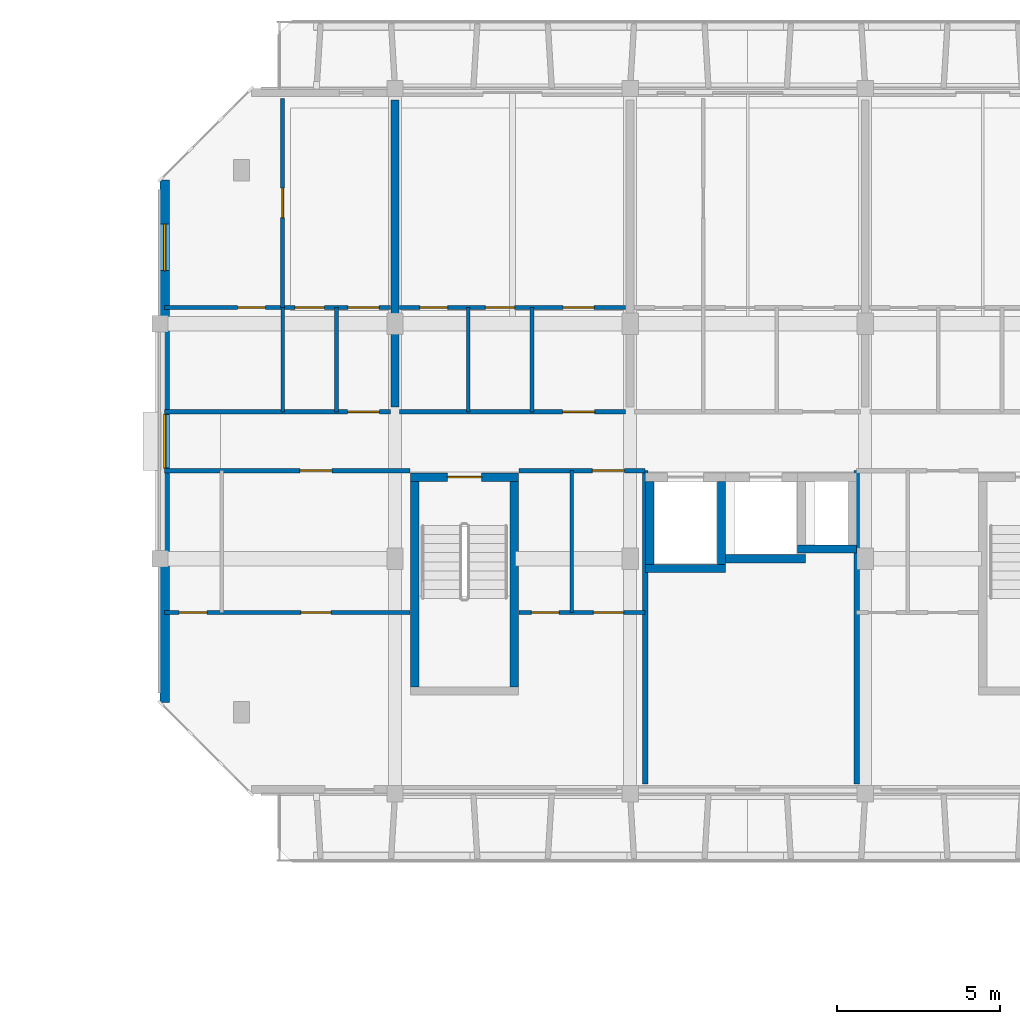
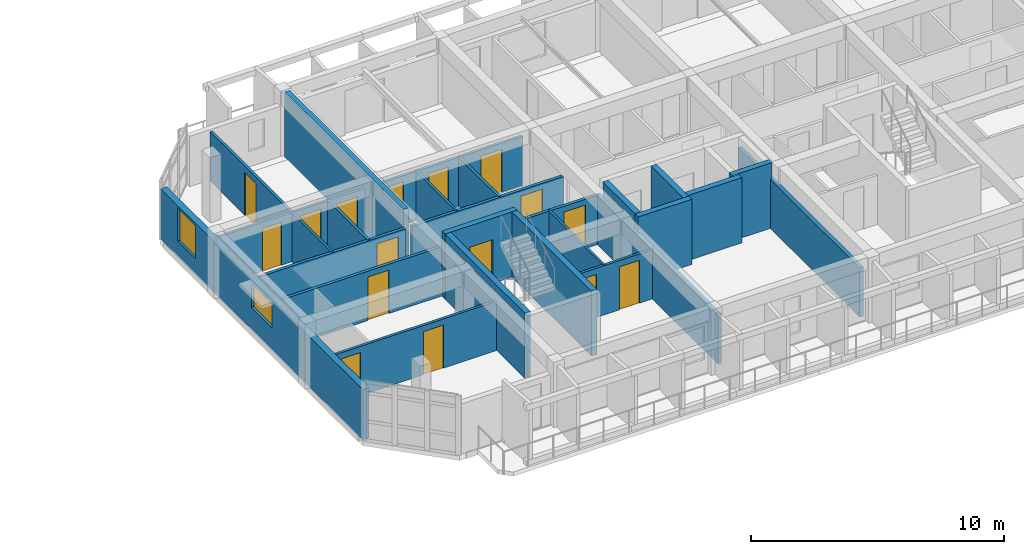
# One storey, part 26 of 44: 26 walls, 16 doors, 2 windows, 18 openings.
"""IFC4 building model written with IfcOpenShell, lengths in metres."""

from ifc_helpers import new_model, si_unit, direction, frame, frame_2d, origin, place, context, subcontext, project, spatial, rectangle, extrude, material, layer, layer_set, type_object, element, fill, save


model = new_model("IFC4")

# Units and contexts
model_context = context("Model", 3, precision=1e-05, world=origin(), true_north=direction((0.0, 1.0)))
body_context = subcontext(model_context, "Body", "Model", "MODEL_VIEW")
ifc_project = project(units=[si_unit("LENGTHUNIT", "METRE"), si_unit("AREAUNIT", "SQUARE_METRE"), si_unit("VOLUMEUNIT", "CUBIC_METRE"), si_unit("PLANEANGLEUNIT", "RADIAN"), si_unit("MASSUNIT", "GRAM", prefix="KILO")], contexts=[model_context])

# Site, building, storey
site_placement = place(None, origin())
site = spatial("IfcSite", under=ifc_project, at=site_placement, CompositionType="ELEMENT")
building_placement = place(site_placement, origin())
building = spatial("IfcBuilding", under=site, at=building_placement, Name="Ochrevale Crest", CompositionType="ELEMENT")
storey_placement = place(building_placement, frame((0.0, 0.0, 21.300048828125)))
storey = spatial("IfcBuildingStorey", under=building, at=storey_placement, Name="L06", CompositionType="ELEMENT", Elevation=21.300048828125)

# Wall, opening, door
ifc_material_1 = material(Name="Gypsum plasterboard", Category="gypsum")
ifc_layer_1 = layer(ifc_material_1, 0.139892578125)
ifc_layer_set_1 = layer_set([ifc_layer_1], Name="Gypsum plasterboard")
wall_type_1 = type_object("IfcWallType", Name="WL-COR-140", PredefinedType="PARTITIONING", material=ifc_layer_set_1)
wall_1_placement = place(storey_placement, frame((129.739990234375, 83.699951171875, 0.0), z_axis=(0.0, 0.0, 1.0), x_axis=(1.0, 0.0, 0.0)))
wall_1 = element("IfcWall", 1, at=wall_1_placement, inside=storey, type_object=wall_type_1, Name="Apartment D-L06-U1 corridor wall", PredefinedType="PARTITIONING", context=body_context, shape_type="SweptSolid", body=[
    extrude(rectangle(XDim=6.919921875, YDim=0.139892578125, at=frame_2d((3.4599609375, 0.0))), origin(), (0.0, 0.0, 1.0), 2.3798828125),
])
opening_1_placement = place(wall_1_placement, frame((6.5849609375, 0.0, 0.0), z_axis=(0.0, 0.0, 1.0), x_axis=(-1.0, 0.0, 0.0)))
opening_1 = element("IfcOpeningElement", 2, at=opening_1_placement, cuts=wall_1, Name="Opening FD01", PredefinedType="OPENING", context=body_context, shape_type="SweptSolid", body=[
    extrude(rectangle(XDim=0.97998046875, YDim=2.10009765625, at=frame_2d((0.489990234375, 1.050048828125))), frame((0.0, 0.080078125, 0.0), z_axis=(0.0, -1.0, 0.0), x_axis=(1.0, 0.0, 0.0)), (0.0, 0.0, 1.0), 0.159912109375),
])
ifc_material_2 = material(Name="Solid-core FSC hardwood", Category="wood")
door_type_1 = type_object("IfcDoorType", Name="DR-APT-950", OperationType="NOTDEFINED", PredefinedType="DOOR", material=ifc_material_2)
door_1_placement = place(opening_1_placement, origin())
door_1 = element("IfcDoor", 3, at=door_1_placement, inside=storey, type_object=door_type_1, Name="Apartment D-L06-U1 entrance door", OperationType="SINGLE_SWING_RIGHT", OverallHeight=2.10009765625, OverallWidth=0.97998046875, PredefinedType="DOOR", context=body_context, shape_type="SweptSolid", body=[
    extrude(rectangle(XDim=0.97998046875, YDim=2.10009765625, at=frame_2d((0.489990234375, 1.050048828125))), frame((0.0, 0.02490234375, 0.0), z_axis=(0.0, -1.0, 0.0), x_axis=(1.0, 0.0, 0.0)), (0.0, 0.0, 1.0), 0.050048828125),
])
fill(opening_1, door_1)

wall_2_placement = place(storey_placement, frame((136.93994140625, 83.699951171875, 0.0), z_axis=(0.0, 0.0, 1.0), x_axis=(1.0, 0.0, 0.0)))
wall_2 = element("IfcWall", 4, at=wall_2_placement, inside=storey, type_object=wall_type_1, Name="Apartment D-L06-U2 corridor wall", PredefinedType="PARTITIONING", context=body_context, shape_type="SweptSolid", body=[
    extrude(rectangle(XDim=6.920166015625, YDim=0.139892578125, at=frame_2d((3.4599609375, 0.0))), origin(), (0.0, 0.0, 1.0), 2.3798828125),
])
opening_2_placement = place(wall_2_placement, frame((4.9951171875, 0.0, 0.0)))
opening_2 = element("IfcOpeningElement", 5, at=opening_2_placement, cuts=wall_2, Name="Opening FD01", PredefinedType="OPENING", context=body_context, shape_type="SweptSolid", body=[
    extrude(rectangle(XDim=0.97998046875, YDim=2.10009765625, at=frame_2d((0.489990234375, 1.050048828125))), frame((0.0, 0.080078125, 0.0), z_axis=(0.0, -1.0, 0.0), x_axis=(1.0, 0.0, 0.0)), (0.0, 0.0, 1.0), 0.159912109375),
])
door_2_placement = place(opening_2_placement, origin())
door_2 = element("IfcDoor", 6, at=door_2_placement, inside=storey, type_object=door_type_1, Name="Apartment D-L06-U2 entrance door", OperationType="SINGLE_SWING_LEFT", OverallHeight=2.10009765625, OverallWidth=0.97998046875, PredefinedType="DOOR", context=body_context, shape_type="SweptSolid", body=[
    extrude(rectangle(XDim=0.97998046875, YDim=2.10009765625, at=frame_2d((0.489990234375, 1.050048828125))), frame((0.0, 0.02490234375, 0.0), z_axis=(0.0, -1.0, 0.0), x_axis=(1.0, 0.0, 0.0)), (0.0, 0.0, 1.0), 0.050048828125),
])
fill(opening_2, door_2)

wall_3_placement = place(storey_placement, frame((129.739990234375, 81.89990234375, 0.0), z_axis=(0.0, 0.0, 1.0), x_axis=(1.0, 0.0, 0.0)))
wall_3 = element("IfcWall", 7, at=wall_3_placement, inside=storey, type_object=wall_type_1, Name="Suite D-L06-CW corridor wall", PredefinedType="PARTITIONING", context=body_context, shape_type="SweptSolid", body=[
    extrude(rectangle(XDim=7.52001953125, YDim=0.139892578125, at=frame_2d((3.760009765625, 0.0))), origin(), (0.0, 0.0, 1.0), 2.3798828125),
])
opening_3_placement = place(wall_3_placement, frame((5.125, 0.0, 0.0), z_axis=(0.0, 0.0, 1.0), x_axis=(-1.0, 0.0, 0.0)))
opening_3 = element("IfcOpeningElement", 8, at=opening_3_placement, cuts=wall_3, Name="Opening FD01", PredefinedType="OPENING", context=body_context, shape_type="SweptSolid", body=[
    extrude(rectangle(XDim=0.97998046875, YDim=2.10009765625, at=frame_2d((0.489990234375, 1.050048828125))), frame((0.0, 0.080078125, 0.0), z_axis=(0.0, -1.0, 0.0), x_axis=(1.0, 0.0, 0.0)), (0.0, 0.0, 1.0), 0.159912109375),
])
door_3_placement = place(opening_3_placement, origin())
door_3 = element("IfcDoor", 9, at=door_3_placement, inside=storey, type_object=door_type_1, Name="Suite D-L06-CW entrance door", OperationType="SINGLE_SWING_RIGHT", OverallHeight=2.10009765625, OverallWidth=0.97998046875, PredefinedType="DOOR", context=body_context, shape_type="SweptSolid", body=[
    extrude(rectangle(XDim=0.97998046875, YDim=2.10009765625, at=frame_2d((0.489990234375, 1.050048828125))), frame((0.0, 0.02490234375, 0.0), z_axis=(0.0, -1.0, 0.0), x_axis=(1.0, 0.0, 0.0)), (0.0, 0.0, 1.0), 0.050048828125),
])
fill(opening_3, door_3)

wall_4_placement = place(storey_placement, frame((140.590087890625, 81.89990234375, 0.0), z_axis=(0.0, 0.0, 1.0), x_axis=(1.0, 0.0, 0.0)))
wall_4 = element("IfcWall", 10, at=wall_4_placement, inside=storey, type_object=wall_type_1, Name="Suite D-L06-MW corridor wall", PredefinedType="PARTITIONING", context=body_context, shape_type="SweptSolid", body=[
    extrude(rectangle(XDim=3.869873046875, YDim=0.139892578125, at=frame_2d((1.93505859375, 0.0))), origin(), (0.0, 0.0, 1.0), 2.3798828125),
])
opening_4_placement = place(wall_4_placement, frame((2.2578125, 0.0, 0.0)))
opening_4 = element("IfcOpeningElement", 11, at=opening_4_placement, cuts=wall_4, Name="Opening FD01", PredefinedType="OPENING", context=body_context, shape_type="SweptSolid", body=[
    extrude(rectangle(XDim=0.97998046875, YDim=2.10009765625, at=frame_2d((0.489990234375, 1.050048828125))), frame((0.0, 0.080078125, 0.0), z_axis=(0.0, -1.0, 0.0), x_axis=(1.0, 0.0, 0.0)), (0.0, 0.0, 1.0), 0.159912109375),
])
door_4_placement = place(opening_4_placement, origin())
door_4 = element("IfcDoor", 12, at=door_4_placement, inside=storey, type_object=door_type_1, Name="Suite D-L06-MW entrance door", OperationType="SINGLE_SWING_LEFT", OverallHeight=2.10009765625, OverallWidth=0.97998046875, PredefinedType="DOOR", context=body_context, shape_type="SweptSolid", body=[
    extrude(rectangle(XDim=0.97998046875, YDim=2.10009765625, at=frame_2d((0.489990234375, 1.050048828125))), frame((0.0, 0.02490234375, 0.0), z_axis=(0.0, -1.0, 0.0), x_axis=(1.0, 0.0, 0.0)), (0.0, 0.0, 1.0), 0.050048828125),
])
fill(opening_4, door_4)

ifc_material_3 = material(Name="Precast concrete C50/60", Category="concrete")
ifc_layer_2 = layer(ifc_material_3, 0.2548828125)
ifc_layer_set_2 = layer_set([ifc_layer_2], Name="Precast concrete C50/60")
wall_type_2 = type_object("IfcWallType", Name="WL-CORE-255", PredefinedType="SHEAR", material=ifc_layer_set_2)
wall_5_placement = place(storey_placement, frame((137.2724609375, 81.699951171875, 0.0), z_axis=(0.0, 0.0, 1.0), x_axis=(1.0, 0.0, 0.0)))
wall_5 = element("IfcWall", 13, at=wall_5_placement, inside=storey, type_object=wall_type_2, Name="Block D L06 Stair 1 precast core shear wall N", PredefinedType="SHEAR", context=body_context, shape_type="SweptSolid", body=[
    extrude(rectangle(XDim=3.304931640625, YDim=0.2548828125, at=frame_2d((1.65234375, 0.0))), origin(), (0.0, 0.0, 1.0), 3.14990234375),
])
opening_5_placement = place(wall_5_placement, frame((2.177490234375, 0.0, 0.0), z_axis=(0.0, 0.0, 1.0), x_axis=(-1.0, 0.0, 0.0)))
opening_5 = element("IfcOpeningElement", 14, at=opening_5_placement, cuts=wall_5, Name="Opening FD03", PredefinedType="OPENING", context=body_context, shape_type="SweptSolid", body=[
    extrude(rectangle(XDim=1.050048828125, YDim=2.1201171875, at=frame_2d((0.52490234375, 1.06005859375))), frame((0.0, 0.137451171875, 0.0), z_axis=(0.0, -1.0, 0.0), x_axis=(1.0, 0.0, 0.0)), (0.0, 0.0, 1.0), 0.27490234375),
])
door_type_2 = type_object("IfcDoorType", Name="DR-ST-1050", OperationType="NOTDEFINED", PredefinedType="DOOR", material=ifc_material_2)
door_5_placement = place(opening_5_placement, origin())
door_5 = element("IfcDoor", 15, at=door_5_placement, inside=storey, type_object=door_type_2, Name="Block D L06 fire stair 1 door", OperationType="SINGLE_SWING_RIGHT", OverallHeight=2.1201171875, OverallWidth=1.050048828125, PredefinedType="DOOR", context=body_context, shape_type="SweptSolid", body=[
    extrude(rectangle(XDim=1.050048828125, YDim=2.1201171875, at=frame_2d((0.52490234375, 1.06005859375))), frame((0.0, 0.02490234375, 0.0), z_axis=(0.0, -1.0, 0.0), x_axis=(1.0, 0.0, 0.0)), (0.0, 0.0, 1.0), 0.050048828125),
])
fill(opening_5, door_5)

# Walls
for number, where, z_axis, x_axis, name in (
    (16, (137.39990234375, 75.277587890625, 0.0), (0.0, 0.0, 1.0), (0.0, 1.0, 0.0), "Block D L06 Stair 1 precast core shear wall W"),
    (17, (140.449951171875, 75.277587890625, 0.0), (0.0, 0.0, 1.0), (0.0, 1.0, 0.0), "Block D L06 Stair 1 precast core shear wall E"),
):
    element("IfcWall", number, at=place(storey_placement, frame(where, z_axis=z_axis, x_axis=x_axis)), inside=storey, type_object=wall_type_2, Name=name, PredefinedType="SHEAR", context=body_context, shape_type="SweptSolid", body=[
        extrude(rectangle(XDim=6.294921875, YDim=0.2548828125, at=frame_2d((3.1474609375, 0.0))), origin(), (0.0, 0.0, 1.0), 3.14990234375),
    ])
wall_6_placement = place(storey_placement, frame((144.472412109375, 78.89990234375, 0.0), z_axis=(0.0, 0.0, 1.0), x_axis=(1.0, 0.0, 0.0)))
element("IfcWall", 18, at=wall_6_placement, inside=storey, type_object=wall_type_2, Name="Block D L06 Lift 1 precast shaft shear wall S", PredefinedType="SHEAR", context=body_context, shape_type="SweptSolid", body=[
    extrude(rectangle(XDim=2.455078125, YDim=0.2548828125, at=frame_2d((1.2275390625, 0.0))), origin(), (0.0, 0.0, 1.0), 3.14990234375),
])
for number, where, z_axis, x_axis, name in (
    (19, (144.60009765625, 79.027587890625, 0.0), (0.0, 0.0, 1.0), (0.0, 1.0, 0.0), "Block D L06 Lift 1 precast shaft shear wall W"),
    (20, (146.800048828125, 79.027587890625, 0.0), (0.0, 0.0, 1.0), (0.0, 1.0, 0.0), "Block D L06 Lift 1 precast shaft shear wall E"),
):
    element("IfcWall", number, at=place(storey_placement, frame(where, z_axis=z_axis, x_axis=x_axis)), inside=storey, type_object=wall_type_2, Name=name, PredefinedType="SHEAR", context=body_context, shape_type="SweptSolid", body=[
        extrude(rectangle(XDim=2.544921875, YDim=0.2548828125, at=frame_2d((1.2724609375, 0.0))), origin(), (0.0, 0.0, 1.0), 3.14990234375),
    ])
wall_7_placement = place(storey_placement, frame((146.922607421875, 79.199951171875, 0.0), z_axis=(0.0, 0.0, 1.0), x_axis=(1.0, 0.0, 0.0)))
element("IfcWall", 21, at=wall_7_placement, inside=storey, type_object=wall_type_2, Name="Block D L06 Lift 2 precast shaft shear wall S", PredefinedType="SHEAR", context=body_context, shape_type="SweptSolid", body=[
    extrude(rectangle(XDim=2.454833984375, YDim=0.2548828125, at=frame_2d((1.2275390625, 0.0))), origin(), (0.0, 0.0, 1.0), 3.14990234375),
])
wall_8_placement = place(storey_placement, frame((149.12255859375, 79.5, 0.0), z_axis=(0.0, 0.0, 1.0), x_axis=(1.0, 0.0, 0.0)))
element("IfcWall", 22, at=wall_8_placement, inside=storey, type_object=wall_type_2, Name="Block D L06 services riser shaft core wall S", PredefinedType="SHEAR", context=body_context, shape_type="SweptSolid", body=[
    extrude(rectangle(XDim=1.804931640625, YDim=0.2548828125, at=frame_2d((0.90234375, 0.0))), origin(), (0.0, 0.0, 1.0), 3.14990234375),
])

# Wall, openings, windows
ifc_material_4 = material(Name="Clay face brickwork", Category="masonry")
ifc_layer_3 = layer(ifc_material_4, 0.2900390625)
ifc_layer_set_3 = layer_set([ifc_layer_3], Name="Clay face brickwork")
wall_type_3 = type_object("IfcWallType", Name="WL-EXT-BRICK-290", PredefinedType="SOLIDWALL", material=ifc_layer_set_3)
wall_9_placement = place(storey_placement, frame((129.7451171875, 90.800048828125, 0.0), z_axis=(0.0, 0.0, 1.0), x_axis=(0.0, -1.0, 0.0)))
wall_9 = element("IfcWall", 23, at=wall_9_placement, inside=storey, type_object=wall_type_3, Name="Block D L06 external facade wall E7", PredefinedType="SOLIDWALL", context=body_context, shape_type="SweptSolid", body=[
    extrude(rectangle(XDim=16.0, YDim=0.2900390625, at=frame_2d((8.0, 0.0))), origin(), (0.0, 0.0, 1.0), 2.429931640625),
])
opening_6_placement = place(wall_9_placement, frame((7.175048828125, 0.0, 1.050048828125)))
opening_6 = element("IfcOpeningElement", 24, at=opening_6_placement, cuts=wall_9, Name="Opening W19", PredefinedType="OPENING", context=body_context, shape_type="SweptSolid", body=[
    extrude(rectangle(XDim=1.64990234375, YDim=1.14990234375, at=frame_2d((0.824951171875, 0.574951171875))), frame((0.0, 0.155029296875, 0.0), z_axis=(0.0, -1.0, 0.0), x_axis=(1.0, 0.0, 0.0)), (0.0, 0.0, 1.0), 0.31005859375),
])
opening_7_placement = place(wall_9_placement, frame((1.35498046875, 0.0, 0.719970703125)))
opening_7 = element("IfcOpeningElement", 25, at=opening_7_placement, cuts=wall_9, Name="Opening W31", PredefinedType="OPENING", context=body_context, shape_type="SweptSolid", body=[
    extrude(rectangle(XDim=1.419921875, YDim=1.60009765625, at=frame_2d((0.7099609375, 0.800048828125))), frame((0.0, 0.155029296875, 0.0), z_axis=(0.0, -1.0, 0.0), x_axis=(1.0, 0.0, 0.0)), (0.0, 0.0, 1.0), 0.31005859375),
])
ifc_material_5 = material(Name="Anodised aluminium 6063-T5 and low-E double glazing", Category="aluminium")
window_type_1 = type_object("IfcWindowType", Name="WIN-W19", PartitioningType="SINGLE_PANEL", PredefinedType="WINDOW", material=ifc_material_5)
window_1_placement = place(opening_6_placement, origin())
window_1 = element("IfcWindow", 26, at=window_1_placement, inside=storey, type_object=window_type_1, Name="Block D L06 corridor end daylight window W", OverallHeight=1.14990234375, OverallWidth=1.64990234375, PartitioningType="SINGLE_PANEL", PredefinedType="WINDOW", context=body_context, shape_type="SweptSolid", body=[
    extrude(rectangle(XDim=1.64990234375, YDim=1.14990234375, at=frame_2d((0.824951171875, 0.574951171875))), frame((0.0, 0.030029296875, 0.0), z_axis=(0.0, -1.0, 0.0), x_axis=(1.0, 0.0, 0.0)), (0.0, 0.0, 1.0), 0.06005859375),
])
fill(opening_6, window_1)
window_type_2 = type_object("IfcWindowType", Name="WIN-W31", PartitioningType="SINGLE_PANEL", PredefinedType="WINDOW", material=ifc_material_5)
window_2_placement = place(opening_7_placement, origin())
window_2 = element("IfcWindow", 27, at=window_2_placement, inside=storey, type_object=window_type_2, Name="Block D L06 side suite window W", OverallHeight=1.60009765625, OverallWidth=1.419921875, PartitioningType="SINGLE_PANEL", PredefinedType="WINDOW", context=body_context, shape_type="SweptSolid", body=[
    extrude(rectangle(XDim=1.419921875, YDim=1.60009765625, at=frame_2d((0.7099609375, 0.800048828125))), frame((0.0, 0.030029296875, 0.0), z_axis=(0.0, -1.0, 0.0), x_axis=(1.0, 0.0, 0.0)), (0.0, 0.0, 1.0), 0.06005859375),
])
fill(opening_7, window_2)

# Wall
ifc_layer_4 = layer(ifc_material_1, 0.1201171875)
ifc_layer_set_4 = layer_set([ifc_layer_4], Name="Gypsum plasterboard")
wall_type_4 = type_object("IfcWallType", Name="WL-PART-120", PredefinedType="PARTITIONING", material=ifc_layer_set_4)
wall_10_placement = place(storey_placement, frame((135.010009765625, 83.699951171875, 0.0), z_axis=(0.0, 0.0, 1.0), x_axis=(0.0, 1.0, 0.0)))
element("IfcWall", 28, at=wall_10_placement, inside=storey, type_object=wall_type_4, Name="Apartment D-L06-U1 kitchen-foyer wall", PredefinedType="PARTITIONING", context=body_context, shape_type="SweptSolid", body=[
    extrude(rectangle(XDim=3.199951171875, YDim=0.1201171875, at=frame_2d((1.60009765625, 0.0))), origin(), (0.0, 0.0, 1.0), 2.3798828125),
])

# Wall, openings, doors
wall_11_placement = place(storey_placement, frame((129.739990234375, 86.89990234375, 0.0), z_axis=(0.0, 0.0, 1.0), x_axis=(1.0, 0.0, 0.0)))
wall_11 = element("IfcWall", 29, at=wall_11_placement, inside=storey, type_object=wall_type_4, Name="Apartment D-L06-U1 central partition", PredefinedType="PARTITIONING", context=body_context, shape_type="SweptSolid", body=[
    extrude(rectangle(XDim=6.919921875, YDim=0.1201171875, at=frame_2d((3.4599609375, 0.0))), origin(), (0.0, 0.0, 1.0), 2.3798828125),
])
opening_8_placement = place(wall_11_placement, frame((2.239990234375, 0.0, 0.0)))
opening_8 = element("IfcOpeningElement", 30, at=opening_8_placement, cuts=wall_11, Name="Opening ID01", PredefinedType="OPENING", context=body_context, shape_type="SweptSolid", body=[
    extrude(rectangle(XDim=0.85009765625, YDim=2.080078125, at=frame_2d((0.425048828125, 1.0400390625))), frame((0.0, 0.070068359375, 0.0), z_axis=(0.0, -1.0, 0.0), x_axis=(1.0, 0.0, 0.0)), (0.0, 0.0, 1.0), 0.14013671875),
])
opening_9_placement = place(wall_11_placement, frame((4.89501953125, 0.0, 0.0), z_axis=(0.0, 0.0, 1.0), x_axis=(-1.0, 0.0, 0.0)))
opening_9 = element("IfcOpeningElement", 31, at=opening_9_placement, cuts=wall_11, Name="Opening ID02", PredefinedType="OPENING", context=body_context, shape_type="SweptSolid", body=[
    extrude(rectangle(XDim=0.89990234375, YDim=2.080078125, at=frame_2d((0.449951171875, 1.0400390625))), frame((0.0, 0.070068359375, 0.0), z_axis=(0.0, -1.0, 0.0), x_axis=(1.0, 0.0, 0.0)), (0.0, 0.0, 1.0), 0.14013671875),
])
opening_10_placement = place(wall_11_placement, frame((5.6201171875, 0.0, 0.0)))
opening_10 = element("IfcOpeningElement", 32, at=opening_10_placement, cuts=wall_11, Name="Opening ID06", PredefinedType="OPENING", context=body_context, shape_type="SweptSolid", body=[
    extrude(rectangle(XDim=0.949951171875, YDim=2.080078125, at=frame_2d((0.47509765625, 1.0400390625))), frame((0.0, 0.070068359375, 0.0), z_axis=(0.0, -1.0, 0.0), x_axis=(1.0, 0.0, 0.0)), (0.0, 0.0, 1.0), 0.14013671875),
])
door_type_3 = type_object("IfcDoorType", Name="DR-INT-900", OperationType="NOTDEFINED", PredefinedType="DOOR", material=ifc_material_2)
door_6_placement = place(opening_9_placement, origin())
door_6 = element("IfcDoor", 33, at=door_6_placement, inside=storey, type_object=door_type_3, Name="Apartment D-L06-U1 Kitchen door", OperationType="SINGLE_SWING_RIGHT", OverallHeight=2.080078125, OverallWidth=0.89990234375, PredefinedType="DOOR", context=body_context, shape_type="SweptSolid", body=[
    extrude(rectangle(XDim=0.89990234375, YDim=2.080078125, at=frame_2d((0.449951171875, 1.0400390625))), frame((0.0, 0.02490234375, 0.0), z_axis=(0.0, -1.0, 0.0), x_axis=(1.0, 0.0, 0.0)), (0.0, 0.0, 1.0), 0.050048828125),
])
fill(opening_9, door_6)
door_type_4 = type_object("IfcDoorType", Name="DR-INT-950", OperationType="NOTDEFINED", PredefinedType="DOOR", material=ifc_material_2)
door_7_placement = place(opening_10_placement, origin())
door_7 = element("IfcDoor", 34, at=door_7_placement, inside=storey, type_object=door_type_4, Name="Apartment D-L06-U1 Living Foyer door", OperationType="SINGLE_SWING_LEFT", OverallHeight=2.080078125, OverallWidth=0.949951171875, PredefinedType="DOOR", context=body_context, shape_type="SweptSolid", body=[
    extrude(rectangle(XDim=0.949951171875, YDim=2.080078125, at=frame_2d((0.47509765625, 1.0400390625))), frame((0.0, 0.02490234375, 0.0), z_axis=(0.0, -1.0, 0.0), x_axis=(1.0, 0.0, 0.0)), (0.0, 0.0, 1.0), 0.050048828125),
])
fill(opening_10, door_7)
door_type_5 = type_object("IfcDoorType", Name="DR-WC-850", OperationType="NOTDEFINED", PredefinedType="DOOR", material=ifc_material_2)
door_8_placement = place(opening_8_placement, origin())
door_8 = element("IfcDoor", 35, at=door_8_placement, inside=storey, type_object=door_type_5, Name="Apartment D-L06-U1 Bathroom door", OperationType="SINGLE_SWING_LEFT", OverallHeight=2.080078125, OverallWidth=0.85009765625, PredefinedType="DOOR", context=body_context, shape_type="SweptSolid", body=[
    extrude(rectangle(XDim=0.85009765625, YDim=2.080078125, at=frame_2d((0.425048828125, 1.0400390625))), frame((0.0, 0.02490234375, 0.0), z_axis=(0.0, -1.0, 0.0), x_axis=(1.0, 0.0, 0.0)), (0.0, 0.0, 1.0), 0.050048828125),
])
fill(opening_8, door_8)

# Wall, opening, door
wall_12_placement = place(storey_placement, frame((133.360107421875, 86.89990234375, 0.0), z_axis=(0.0, 0.0, 1.0), x_axis=(0.0, 1.0, 0.0)))
wall_12 = element("IfcWall", 36, at=wall_12_placement, inside=storey, type_object=wall_type_4, Name="Apartment D-L06-U1 bedroom partition", PredefinedType="PARTITIONING", context=body_context, shape_type="SweptSolid", body=[
    extrude(rectangle(XDim=6.400146484375, YDim=0.1201171875, at=frame_2d((3.2001953125, 0.0))), origin(), (0.0, 0.0, 1.0), 2.3798828125),
])
opening_11_placement = place(wall_12_placement, frame((3.64990234375, 0.0, 0.0), z_axis=(0.0, 0.0, 1.0), x_axis=(-1.0, 0.0, 0.0)))
opening_11 = element("IfcOpeningElement", 37, at=opening_11_placement, cuts=wall_12, Name="Opening ID02", PredefinedType="OPENING", context=body_context, shape_type="SweptSolid", body=[
    extrude(rectangle(XDim=0.89990234375, YDim=2.080078125, at=frame_2d((0.449951171875, 1.0400390625))), frame((0.0, 0.070068359375, 0.0), z_axis=(0.0, -1.0, 0.0), x_axis=(1.0, 0.0, 0.0)), (0.0, 0.0, 1.0), 0.14013671875),
])
door_9_placement = place(opening_11_placement, origin())
door_9 = element("IfcDoor", 38, at=door_9_placement, inside=storey, type_object=door_type_3, Name="Apartment D-L06-U1 Twin Bedroom door", OperationType="SINGLE_SWING_RIGHT", OverallHeight=2.080078125, OverallWidth=0.89990234375, PredefinedType="DOOR", context=body_context, shape_type="SweptSolid", body=[
    extrude(rectangle(XDim=0.89990234375, YDim=2.080078125, at=frame_2d((0.449951171875, 1.0400390625))), frame((0.0, 0.02490234375, 0.0), z_axis=(0.0, -1.0, 0.0), x_axis=(1.0, 0.0, 0.0)), (0.0, 0.0, 1.0), 0.050048828125),
])
fill(opening_11, door_9)

# Wall
wall_13_placement = place(storey_placement, frame((140.989990234375, 83.699951171875, 0.0), z_axis=(0.0, 0.0, 1.0), x_axis=(0.0, 1.0, 0.0)))
element("IfcWall", 39, at=wall_13_placement, inside=storey, type_object=wall_type_4, Name="Apartment D-L06-U2 kitchen-foyer wall", PredefinedType="PARTITIONING", context=body_context, shape_type="SweptSolid", body=[
    extrude(rectangle(XDim=3.199951171875, YDim=0.1201171875, at=frame_2d((1.60009765625, 0.0))), origin(), (0.0, 0.0, 1.0), 2.3798828125),
])

# Wall, openings, doors
wall_14_placement = place(storey_placement, frame((136.93994140625, 86.89990234375, 0.0), z_axis=(0.0, 0.0, 1.0), x_axis=(1.0, 0.0, 0.0)))
wall_14 = element("IfcWall", 40, at=wall_14_placement, inside=storey, type_object=wall_type_4, Name="Apartment D-L06-U2 central partition", PredefinedType="PARTITIONING", context=body_context, shape_type="SweptSolid", body=[
    extrude(rectangle(XDim=6.920166015625, YDim=0.1201171875, at=frame_2d((3.4599609375, 0.0))), origin(), (0.0, 0.0, 1.0), 2.3798828125),
])
opening_12_placement = place(wall_14_placement, frame((1.47509765625, 0.0, 0.0), z_axis=(0.0, 0.0, 1.0), x_axis=(-1.0, 0.0, 0.0)))
opening_12 = element("IfcOpeningElement", 41, at=opening_12_placement, cuts=wall_14, Name="Opening ID01", PredefinedType="OPENING", context=body_context, shape_type="SweptSolid", body=[
    extrude(rectangle(XDim=0.85009765625, YDim=2.080078125, at=frame_2d((0.425048828125, 1.0400390625))), frame((0.0, 0.070068359375, 0.0), z_axis=(0.0, -1.0, 0.0), x_axis=(1.0, 0.0, 0.0)), (0.0, 0.0, 1.0), 0.14013671875),
])
opening_13_placement = place(wall_14_placement, frame((2.625, 0.0, 0.0)))
opening_13 = element("IfcOpeningElement", 42, at=opening_13_placement, cuts=wall_14, Name="Opening ID02", PredefinedType="OPENING", context=body_context, shape_type="SweptSolid", body=[
    extrude(rectangle(XDim=0.89990234375, YDim=2.080078125, at=frame_2d((0.449951171875, 1.0400390625))), frame((0.0, 0.070068359375, 0.0), z_axis=(0.0, -1.0, 0.0), x_axis=(1.0, 0.0, 0.0)), (0.0, 0.0, 1.0), 0.14013671875),
])
opening_14_placement = place(wall_14_placement, frame((5.9599609375, 0.0, 0.0), z_axis=(0.0, 0.0, 1.0), x_axis=(-1.0, 0.0, 0.0)))
opening_14 = element("IfcOpeningElement", 43, at=opening_14_placement, cuts=wall_14, Name="Opening ID06", PredefinedType="OPENING", context=body_context, shape_type="SweptSolid", body=[
    extrude(rectangle(XDim=0.949951171875, YDim=2.080078125, at=frame_2d((0.47509765625, 1.0400390625))), frame((0.0, 0.070068359375, 0.0), z_axis=(0.0, -1.0, 0.0), x_axis=(1.0, 0.0, 0.0)), (0.0, 0.0, 1.0), 0.14013671875),
])
door_10_placement = place(opening_13_placement, origin())
door_10 = element("IfcDoor", 44, at=door_10_placement, inside=storey, type_object=door_type_3, Name="Apartment D-L06-U2 Kitchen door", OperationType="SINGLE_SWING_LEFT", OverallHeight=2.080078125, OverallWidth=0.89990234375, PredefinedType="DOOR", context=body_context, shape_type="SweptSolid", body=[
    extrude(rectangle(XDim=0.89990234375, YDim=2.080078125, at=frame_2d((0.449951171875, 1.0400390625))), frame((0.0, 0.02490234375, 0.0), z_axis=(0.0, -1.0, 0.0), x_axis=(1.0, 0.0, 0.0)), (0.0, 0.0, 1.0), 0.050048828125),
])
fill(opening_13, door_10)
door_11_placement = place(opening_14_placement, origin())
door_11 = element("IfcDoor", 45, at=door_11_placement, inside=storey, type_object=door_type_4, Name="Apartment D-L06-U2 Living Foyer door", OperationType="SINGLE_SWING_RIGHT", OverallHeight=2.080078125, OverallWidth=0.949951171875, PredefinedType="DOOR", context=body_context, shape_type="SweptSolid", body=[
    extrude(rectangle(XDim=0.949951171875, YDim=2.080078125, at=frame_2d((0.47509765625, 1.0400390625))), frame((0.0, 0.02490234375, 0.0), z_axis=(0.0, -1.0, 0.0), x_axis=(1.0, 0.0, 0.0)), (0.0, 0.0, 1.0), 0.050048828125),
])
fill(opening_14, door_11)
door_12_placement = place(opening_12_placement, origin())
door_12 = element("IfcDoor", 46, at=door_12_placement, inside=storey, type_object=door_type_5, Name="Apartment D-L06-U2 Bathroom door", OperationType="SINGLE_SWING_RIGHT", OverallHeight=2.080078125, OverallWidth=0.85009765625, PredefinedType="DOOR", context=body_context, shape_type="SweptSolid", body=[
    extrude(rectangle(XDim=0.85009765625, YDim=2.080078125, at=frame_2d((0.425048828125, 1.0400390625))), frame((0.0, 0.02490234375, 0.0), z_axis=(0.0, -1.0, 0.0), x_axis=(1.0, 0.0, 0.0)), (0.0, 0.0, 1.0), 0.050048828125),
])
fill(opening_12, door_12)

wall_15_placement = place(storey_placement, frame((129.739990234375, 77.550048828125, 0.0), z_axis=(0.0, 0.0, 1.0), x_axis=(1.0, 0.0, 0.0)))
wall_15 = element("IfcWall", 47, at=wall_15_placement, inside=storey, type_object=wall_type_4, Name="Suite D-L06-CW internal wall", PredefinedType="PARTITIONING", context=body_context, shape_type="SweptSolid", body=[
    extrude(rectangle(XDim=7.52001953125, YDim=0.1201171875, at=frame_2d((3.760009765625, 0.0))), origin(), (0.0, 0.0, 1.0), 2.3798828125),
])
opening_15_placement = place(wall_15_placement, frame((0.449951171875, 0.0, 0.0)))
opening_15 = element("IfcOpeningElement", 48, at=opening_15_placement, cuts=wall_15, Name="Opening ID01", PredefinedType="OPENING", context=body_context, shape_type="SweptSolid", body=[
    extrude(rectangle(XDim=0.85009765625, YDim=2.080078125, at=frame_2d((0.425048828125, 1.0400390625))), frame((0.0, 0.070068359375, 0.0), z_axis=(0.0, -1.0, 0.0), x_axis=(1.0, 0.0, 0.0)), (0.0, 0.0, 1.0), 0.14013671875),
])
opening_16_placement = place(wall_15_placement, frame((5.094970703125, 0.0, 0.0), z_axis=(0.0, 0.0, 1.0), x_axis=(-1.0, 0.0, 0.0)))
opening_16 = element("IfcOpeningElement", 49, at=opening_16_placement, cuts=wall_15, Name="Opening ID04", PredefinedType="OPENING", context=body_context, shape_type="SweptSolid", body=[
    extrude(rectangle(XDim=0.919921875, YDim=2.080078125, at=frame_2d((0.4599609375, 1.0400390625))), frame((0.0, 0.070068359375, 0.0), z_axis=(0.0, -1.0, 0.0), x_axis=(1.0, 0.0, 0.0)), (0.0, 0.0, 1.0), 0.14013671875),
])
door_type_6 = type_object("IfcDoorType", Name="DR-INT-920", OperationType="NOTDEFINED", PredefinedType="DOOR", material=ifc_material_2)
door_13_placement = place(opening_16_placement, origin())
door_13 = element("IfcDoor", 50, at=door_13_placement, inside=storey, type_object=door_type_6, Name="Suite D-L06-CW Garden Alcove Studio door", OperationType="SINGLE_SWING_RIGHT", OverallHeight=2.080078125, OverallWidth=0.919921875, PredefinedType="DOOR", context=body_context, shape_type="SweptSolid", body=[
    extrude(rectangle(XDim=0.919921875, YDim=2.080078125, at=frame_2d((0.4599609375, 1.0400390625))), frame((0.0, 0.02490234375, 0.0), z_axis=(0.0, -1.0, 0.0), x_axis=(1.0, 0.0, 0.0)), (0.0, 0.0, 1.0), 0.050048828125),
])
fill(opening_16, door_13)
door_14_placement = place(opening_15_placement, origin())
door_14 = element("IfcDoor", 51, at=door_14_placement, inside=storey, type_object=door_type_5, Name="Suite D-L06-CW Bathroom door", OperationType="SINGLE_SWING_LEFT", OverallHeight=2.080078125, OverallWidth=0.85009765625, PredefinedType="DOOR", context=body_context, shape_type="SweptSolid", body=[
    extrude(rectangle(XDim=0.85009765625, YDim=2.080078125, at=frame_2d((0.425048828125, 1.0400390625))), frame((0.0, 0.02490234375, 0.0), z_axis=(0.0, -1.0, 0.0), x_axis=(1.0, 0.0, 0.0)), (0.0, 0.0, 1.0), 0.050048828125),
])
fill(opening_15, door_14)

wall_16_placement = place(storey_placement, frame((140.590087890625, 77.550048828125, 0.0), z_axis=(0.0, 0.0, 1.0), x_axis=(1.0, 0.0, 0.0)))
wall_16 = element("IfcWall", 52, at=wall_16_placement, inside=storey, type_object=wall_type_4, Name="Suite D-L06-MW internal wall", PredefinedType="PARTITIONING", context=body_context, shape_type="SweptSolid", body=[
    extrude(rectangle(XDim=3.869873046875, YDim=0.1201171875, at=frame_2d((1.93505859375, 0.0))), origin(), (0.0, 0.0, 1.0), 2.3798828125),
])
opening_17_placement = place(wall_16_placement, frame((1.23779296875, 0.0, 0.0), z_axis=(0.0, 0.0, 1.0), x_axis=(-1.0, 0.0, 0.0)))
opening_17 = element("IfcOpeningElement", 53, at=opening_17_placement, cuts=wall_16, Name="Opening ID01", PredefinedType="OPENING", context=body_context, shape_type="SweptSolid", body=[
    extrude(rectangle(XDim=0.85009765625, YDim=2.080078125, at=frame_2d((0.425048828125, 1.0400390625))), frame((0.0, 0.070068359375, 0.0), z_axis=(0.0, -1.0, 0.0), x_axis=(1.0, 0.0, 0.0)), (0.0, 0.0, 1.0), 0.14013671875),
])
opening_18_placement = place(wall_16_placement, frame((2.28759765625, 0.0, 0.0)))
opening_18 = element("IfcOpeningElement", 54, at=opening_18_placement, cuts=wall_16, Name="Opening ID04", PredefinedType="OPENING", context=body_context, shape_type="SweptSolid", body=[
    extrude(rectangle(XDim=0.919921875, YDim=2.080078125, at=frame_2d((0.4599609375, 1.0400390625))), frame((0.0, 0.070068359375, 0.0), z_axis=(0.0, -1.0, 0.0), x_axis=(1.0, 0.0, 0.0)), (0.0, 0.0, 1.0), 0.14013671875),
])
door_15_placement = place(opening_18_placement, origin())
door_15 = element("IfcDoor", 55, at=door_15_placement, inside=storey, type_object=door_type_6, Name="Suite D-L06-MW Courtyard Studio Living door", OperationType="SINGLE_SWING_LEFT", OverallHeight=2.080078125, OverallWidth=0.919921875, PredefinedType="DOOR", context=body_context, shape_type="SweptSolid", body=[
    extrude(rectangle(XDim=0.919921875, YDim=2.080078125, at=frame_2d((0.4599609375, 1.0400390625))), frame((0.0, 0.02490234375, 0.0), z_axis=(0.0, -1.0, 0.0), x_axis=(1.0, 0.0, 0.0)), (0.0, 0.0, 1.0), 0.050048828125),
])
fill(opening_18, door_15)
door_16_placement = place(opening_17_placement, origin())
door_16 = element("IfcDoor", 56, at=door_16_placement, inside=storey, type_object=door_type_5, Name="Suite D-L06-MW Bathroom door", OperationType="SINGLE_SWING_RIGHT", OverallHeight=2.080078125, OverallWidth=0.85009765625, PredefinedType="DOOR", context=body_context, shape_type="SweptSolid", body=[
    extrude(rectangle(XDim=0.85009765625, YDim=2.080078125, at=frame_2d((0.425048828125, 1.0400390625))), frame((0.0, 0.02490234375, 0.0), z_axis=(0.0, -1.0, 0.0), x_axis=(1.0, 0.0, 0.0)), (0.0, 0.0, 1.0), 0.050048828125),
])
fill(opening_17, door_16)

# Walls
ifc_layer_5 = layer(ifc_material_3, 0.239990234375)
ifc_layer_set_5 = layer_set([ifc_layer_5], Name="Precast concrete C50/60")
wall_type_5 = type_object("IfcWallType", Name="WL-SHEAR-240", PredefinedType="SHEAR", material=ifc_layer_set_5)
wall_17_placement = place(storey_placement, frame((136.800048828125, 83.85009765625, 0.0), z_axis=(0.0, 0.0, 1.0), x_axis=(0.0, 1.0, 0.0)))
element("IfcWall", 57, at=wall_17_placement, inside=storey, type_object=wall_type_5, Name="Block D L06 load-bearing precast cross-wall X=136.8", PredefinedType="SHEAR", context=body_context, shape_type="SweptSolid", body=[
    extrude(rectangle(XDim=9.39990234375, YDim=0.239990234375, at=frame_2d((4.699951171875, 0.0))), origin(), (0.0, 0.0, 1.0), 3.14990234375),
])
ifc_layer_6 = layer(ifc_material_1, 0.169921875)
ifc_layer_set_6 = layer_set([ifc_layer_6], Name="Gypsum plasterboard")
wall_type_6 = type_object("IfcWallType", Name="WL-TEN-170", PredefinedType="PARTITIONING", material=ifc_layer_set_6)
for number, where, z_axis, x_axis, name in (
    (58, (144.4599609375, 72.300048828125, 0.0), (0.0, 0.0, 1.0), (0.0, 1.0, 0.0), "Suite D-L06-MW east party wall"),
    (59, (150.93994140625, 72.300048828125, 0.0), (0.0, 0.0, 1.0), (0.0, 1.0, 0.0), "Suite D-L06-ME west party wall"),
):
    element("IfcWall", number, at=place(storey_placement, frame(where, z_axis=z_axis, x_axis=x_axis)), inside=storey, type_object=wall_type_6, Name=name, PredefinedType="PARTITIONING", context=body_context, shape_type="SweptSolid", body=[
        extrude(rectangle(XDim=9.599853515625, YDim=0.169921875, at=frame_2d((4.7998046875, 0.0))), origin(), (0.0, 0.0, 1.0), 2.3798828125),
    ])
ifc_layer_7 = layer(ifc_material_1, 0.10009765625)
ifc_layer_set_7 = layer_set([ifc_layer_7], Name="Gypsum plasterboard")
wall_type_7 = type_object("IfcWallType", Name="WL-WET-100", PredefinedType="PARTITIONING", material=ifc_layer_set_7)
for number, where, z_axis, x_axis, name in (
    (60, (133.360107421875, 83.699951171875, 0.0), (0.0, 0.0, 1.0), (0.0, 1.0, 0.0), "Apartment D-L06-U1 bath-kitchen wall"),
    (61, (139.0400390625, 83.699951171875, 0.0), (0.0, 0.0, 1.0), (0.0, 1.0, 0.0), "Apartment D-L06-U2 bath-kitchen wall"),
):
    element("IfcWall", number, at=place(storey_placement, frame(where, z_axis=z_axis, x_axis=x_axis)), inside=storey, type_object=wall_type_7, Name=name, PredefinedType="PARTITIONING", context=body_context, shape_type="SweptSolid", body=[
        extrude(rectangle(XDim=3.199951171875, YDim=0.10009765625, at=frame_2d((1.60009765625, 0.0))), origin(), (0.0, 0.0, 1.0), 2.3798828125),
    ])
wall_18_placement = place(storey_placement, frame((142.21533203125, 77.550048828125, 0.0), z_axis=(0.0, 0.0, 1.0), x_axis=(0.0, 1.0, 0.0)))
element("IfcWall", 62, at=wall_18_placement, inside=storey, type_object=wall_type_7, Name="Suite D-L06-MW bathroom divider", PredefinedType="PARTITIONING", context=body_context, shape_type="SweptSolid", body=[
    extrude(rectangle(XDim=4.349853515625, YDim=0.10009765625, at=frame_2d((2.1748046875, 0.0))), origin(), (0.0, 0.0, 1.0), 2.3798828125),
])

save(model, "model.ifc")
